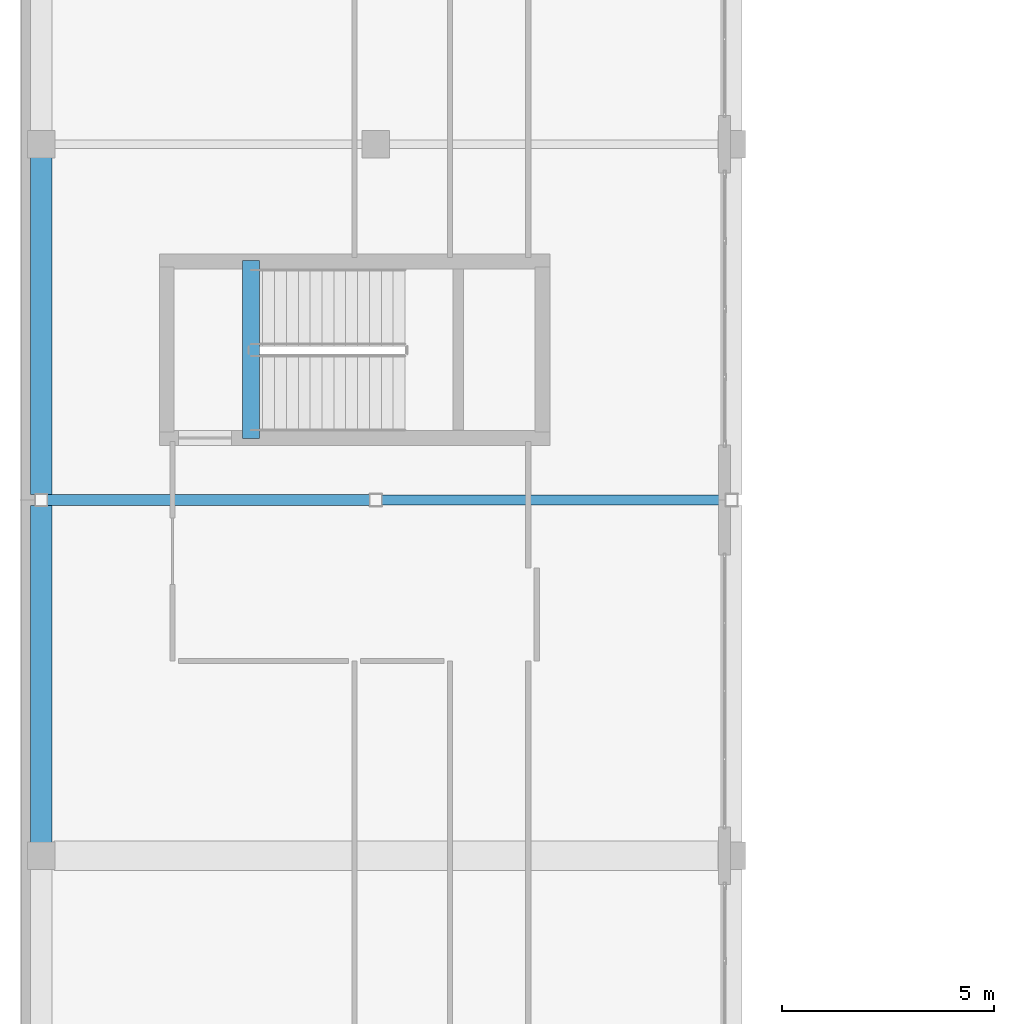
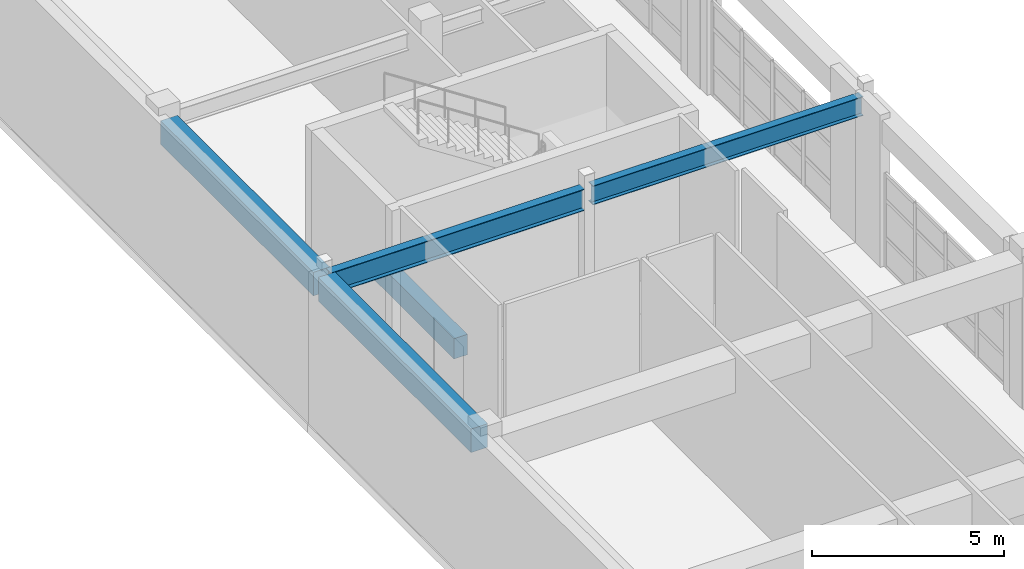
# One storey, part 17 of 78: 5 beams.
"""IFC4 building model written with IfcOpenShell, lengths in metres."""

from ifc_helpers import new_model, si_unit, direction, frame, origin, origin_2d, place, context, subcontext, project, spatial, rectangle, i_section, extrude, material, material_profile, profile_set, type_object, element, save


model = new_model("IFC4")

# Units and contexts
model_context = context("Model", 3, precision=1e-05, world=origin(), true_north=direction((0.0, 1.0)))
body_context = subcontext(model_context, "Body", "Model", "MODEL_VIEW")
ifc_project = project(units=[si_unit("LENGTHUNIT", "METRE"), si_unit("AREAUNIT", "SQUARE_METRE"), si_unit("VOLUMEUNIT", "CUBIC_METRE"), si_unit("PLANEANGLEUNIT", "RADIAN"), si_unit("MASSUNIT", "GRAM", prefix="KILO")], contexts=[model_context])

# Site, building, storey
site_placement = place(None, origin())
site = spatial("IfcSite", under=ifc_project, at=site_placement, CompositionType="ELEMENT")
building_placement = place(site_placement, origin())
building = spatial("IfcBuilding", under=site, at=building_placement, Name="Quendrovan Civic Courthouse", CompositionType="ELEMENT")
storey_placement = place(building_placement, frame((0.0, 0.0, 20.39990234375)))
storey = spatial("IfcBuildingStorey", under=building, at=storey_placement, Name="L05", CompositionType="ELEMENT", Elevation=20.39990234375)

# Beams
ifc_material_1 = material(Name="Concrete C40/50", Category="concrete")
ifc_material_profile_1 = material_profile(ifc_material_1, rectangle(XDim=0.39990234375, YDim=0.64990234375, at=origin_2d()), Name="RC-BM-400x650")
ifc_profile_set_1 = profile_set([ifc_material_profile_1], Name="Concrete C40/50")
beam_type_1 = type_object("IfcBeamType", Name="BM-RC650", PredefinedType="JOIST", material=ifc_profile_set_1)
beam_1_placement = place(storey_placement, frame((5.449951171875, 57.85009765625, -0.324951171875), z_axis=(0.0, 1.0, 0.0), x_axis=(-1.0, 0.0, 0.0)))
element("IfcBeam", 1, at=beam_1_placement, inside=storey, type_object=beam_type_1, Name="L05 Stair ST4 Landing Trimmer Beam", PredefinedType="JOIST", context=body_context, shape_type="SweptSolid", body=[
    extrude(rectangle(XDim=0.39990234375, YDim=0.64990234375, at=origin_2d()), origin(), (0.0, 0.0, 1.0), 4.199951171875),
])
ifc_material_profile_2 = material_profile(ifc_material_1, rectangle(XDim=0.5, YDim=0.75, at=origin_2d()), Name="RC-BM-500x750")
ifc_profile_set_2 = profile_set([ifc_material_profile_2], Name="Concrete C40/50")
beam_type_2 = type_object("IfcBeamType", Name="BM-RC750", PredefinedType="SPANDREL", material=ifc_profile_set_2)
for number, where, z_axis, x_axis, name in (
    (2, (0.5, 48.304931640625, 4.28515625), (0.0, 1.0, 0.0), (-1.0, 0.0, 0.0), "L05 Girder Y1055"),
    (3, (0.5, 56.530029296875, 4.28515625), (0.0, 1.0, 0.0), (-1.0, 0.0, 0.0), "L05 Girder Y1056"),
):
    element("IfcBeam", number, at=place(storey_placement, frame(where, z_axis=z_axis, x_axis=x_axis)), inside=storey, type_object=beam_type_2, Name=name, PredefinedType="SPANDREL", context=body_context, shape_type="SweptSolid", body=[
        extrude(rectangle(XDim=0.5, YDim=0.75, at=origin_2d()), origin(), (0.0, 0.0, 1.0), 7.965087890625),
    ])
ifc_material_2 = material(Name="Steel ASTM A992 Grade 50", Category="steel")
ifc_material_profile_3 = material_profile(ifc_material_2, i_section(OverallWidth=0.22802734375, OverallDepth=0.60693359375, WebThickness=0.01123046875, FlangeThickness=0.017333984375, at=origin_2d()), Name="W24X76")
ifc_profile_set_3 = profile_set([ifc_material_profile_3], Name="Steel ASTM A992 Grade 50")
beam_type_3 = type_object("IfcBeamType", Name="BM-STL-W24", PredefinedType="BEAM", material=ifc_profile_set_3)
beam_2_placement = place(storey_placement, frame((8.530029296875, 56.39990234375, 4.356689453125), z_axis=(1.0, 0.0, 0.0), x_axis=(0.0, 1.0, 0.0)))
element("IfcBeam", 4, at=beam_2_placement, inside=storey, type_object=beam_type_3, Name="L05 Girder X1028", PredefinedType="BEAM", context=body_context, shape_type="SweptSolid", body=[
    extrude(i_section(OverallWidth=0.22802734375, OverallDepth=0.60693359375, WebThickness=0.01123046875, FlangeThickness=0.017333984375, at=origin_2d()), origin(), (0.0, 0.0, 1.0), 8.139892578125),
])
ifc_material_profile_4 = material_profile(ifc_material_2, i_section(OverallWidth=0.25390625, OverallDepth=0.68408203125, WebThickness=0.012451171875, FlangeThickness=0.018798828125, at=origin_2d()), Name="W27X94")
ifc_profile_set_4 = profile_set([ifc_material_profile_4], Name="Steel ASTM A992 Grade 50")
beam_type_4 = type_object("IfcBeamType", Name="BM-STL-W27", PredefinedType="BEAM", material=ifc_profile_set_4)
beam_3_placement = place(storey_placement, frame((0.6298828125, 56.39990234375, 4.318115234375), z_axis=(1.0, 0.0, 0.0), x_axis=(0.0, 1.0, 0.0)))
element("IfcBeam", 5, at=beam_3_placement, inside=storey, type_object=beam_type_4, Name="L05 Girder X1027", PredefinedType="BEAM", context=body_context, shape_type="SweptSolid", body=[
    extrude(i_section(OverallWidth=0.25390625, OverallDepth=0.68408203125, WebThickness=0.012451171875, FlangeThickness=0.018798828125, at=origin_2d()), origin(), (0.0, 0.0, 1.0), 7.64013671875),
])

save(model, "model.ifc")
